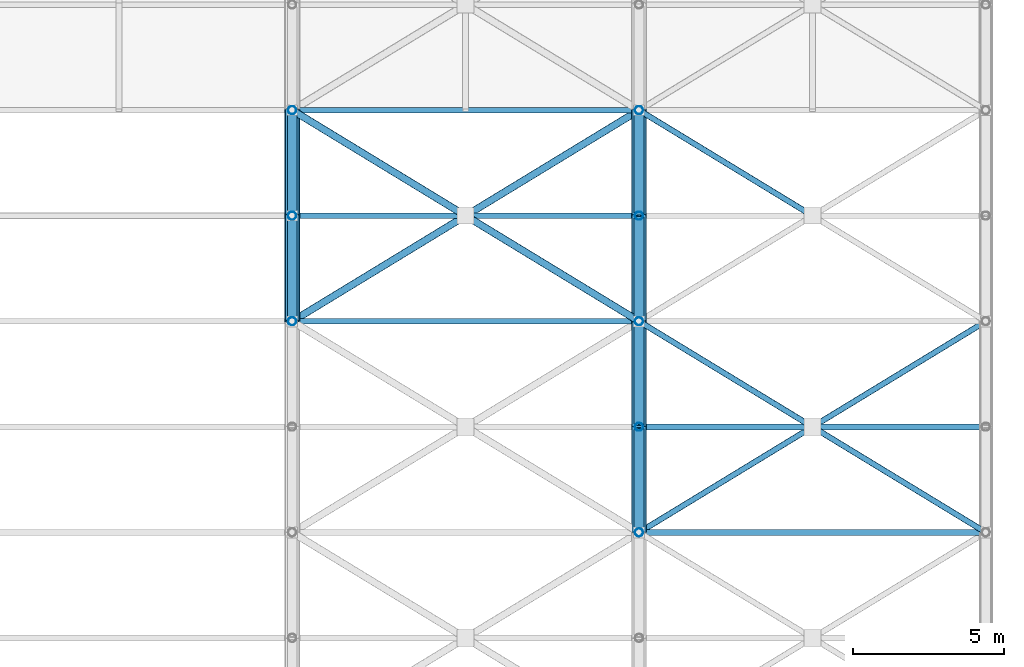
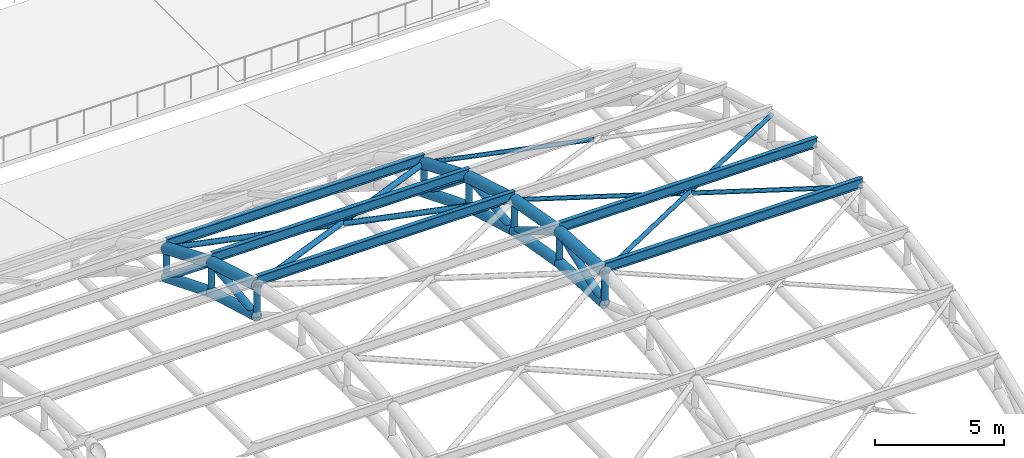
# One storey, part 108 of 154: 38 members.
"""IFC4 building model written with IfcOpenShell, lengths in metres."""

from ifc_helpers import new_model, si_unit, direction, frame, origin, origin_2d, place, context, subcontext, project, spatial, hollow_circle, i_section, extrude, material, material_profile, profile_set, type_object, element, save


model = new_model("IFC4")

# Units and contexts
model_context = context("Model", 3, precision=1e-05, world=origin(), true_north=direction((0.0, 1.0)))
body_context = subcontext(model_context, "Body", "Model", "MODEL_VIEW")
ifc_project = project(units=[si_unit("LENGTHUNIT", "METRE"), si_unit("AREAUNIT", "SQUARE_METRE"), si_unit("VOLUMEUNIT", "CUBIC_METRE"), si_unit("PLANEANGLEUNIT", "RADIAN"), si_unit("MASSUNIT", "GRAM", prefix="KILO")], contexts=[model_context])

# Site, building, storey
site_placement = place(None, origin())
site = spatial("IfcSite", under=ifc_project, at=site_placement, CompositionType="ELEMENT")
building_placement = place(site_placement, origin())
building = spatial("IfcBuilding", under=site, at=building_placement, Name="Ologun Quay Terminus", CompositionType="ELEMENT")
storey_placement = place(building_placement, frame((0.0, 0.0, 13.800048828125)))
storey = spatial("IfcBuildingStorey", under=building, at=storey_placement, Name="L03", CompositionType="ELEMENT", Elevation=13.800048828125)

# Members
ifc_material_1 = material(Name="Steel S355", Category="steel")
ifc_material_profile_1 = material_profile(ifc_material_1, hollow_circle(Radius=0.136474609375, WallThickness=0.010009765625, at=origin_2d()), Name="CHS 273x10")
ifc_profile_set_1 = profile_set([ifc_material_profile_1], Name="Steel S355")
member_type_1 = type_object("IfcMemberType", Name="Arch Truss Vertical Post CHS273", PredefinedType="STRUT", material=ifc_profile_set_1)
member_1_placement = place(storey_placement, frame((161.0, 64.0, 6.435546875), z_axis=(0.0, 0.0, 1.0), x_axis=(1.0, 0.0, 0.0)))
element("IfcMember", 1, at=member_1_placement, inside=storey, type_object=member_type_1, Name="AW2 Arch Web Post 15-N8", PredefinedType="STRUT", context=body_context, shape_type="SweptSolid", body=[
    extrude(hollow_circle(Radius=0.136474609375, WallThickness=0.010009765625, at=origin_2d()), origin(), (0.0, 0.0, 1.0), 1.44873046875),
])
member_2_placement = place(storey_placement, frame((161.0, 67.5, 5.429931640625), z_axis=(0.0, 0.0, 1.0), x_axis=(1.0, 0.0, 0.0)))
element("IfcMember", 2, at=member_2_placement, inside=storey, type_object=member_type_1, Name="AW2 Arch Web Post 15-N9", PredefinedType="STRUT", context=body_context, shape_type="SweptSolid", body=[
    extrude(hollow_circle(Radius=0.136474609375, WallThickness=0.010009765625, at=origin_2d()), origin(), (0.0, 0.0, 1.0), 1.409912109375),
])
member_3_placement = place(storey_placement, frame((161.0, 71.0, 4.022216796875), z_axis=(0.0, 0.0, 1.0), x_axis=(1.0, 0.0, 0.0)))
element("IfcMember", 3, at=member_3_placement, inside=storey, type_object=member_type_1, Name="AW2 Arch Web Post 15-N10", PredefinedType="STRUT", context=body_context, shape_type="SweptSolid", body=[
    extrude(hollow_circle(Radius=0.136474609375, WallThickness=0.010009765625, at=origin_2d()), origin(), (0.0, 0.0, 1.0), 1.35546875),
])
member_4_placement = place(storey_placement, frame((172.5, 57.0, 7.239990234375), z_axis=(0.0, 0.0, 1.0), x_axis=(1.0, 0.0, 0.0)))
element("IfcMember", 4, at=member_4_placement, inside=storey, type_object=member_type_1, Name="AW2 Arch Web Post 16-N6", PredefinedType="STRUT", context=body_context, shape_type="SweptSolid", body=[
    extrude(hollow_circle(Radius=0.136474609375, WallThickness=0.010009765625, at=origin_2d()), origin(), (0.0, 0.0, 1.0), 1.47998046875),
])
member_5_placement = place(storey_placement, frame((172.5, 60.5, 7.038818359375), z_axis=(0.0, 0.0, 1.0), x_axis=(1.0, 0.0, 0.0)))
element("IfcMember", 5, at=member_5_placement, inside=storey, type_object=member_type_1, Name="AW2 Arch Web Post 16-N7", PredefinedType="STRUT", context=body_context, shape_type="SweptSolid", body=[
    extrude(hollow_circle(Radius=0.136474609375, WallThickness=0.010009765625, at=origin_2d()), origin(), (0.0, 0.0, 1.0), 1.47216796875),
])
member_6_placement = place(storey_placement, frame((172.5, 64.0, 6.435546875), z_axis=(0.0, 0.0, 1.0), x_axis=(1.0, 0.0, 0.0)))
element("IfcMember", 6, at=member_6_placement, inside=storey, type_object=member_type_1, Name="AW2 Arch Web Post 16-N8", PredefinedType="STRUT", context=body_context, shape_type="SweptSolid", body=[
    extrude(hollow_circle(Radius=0.136474609375, WallThickness=0.010009765625, at=origin_2d()), origin(), (0.0, 0.0, 1.0), 1.44873046875),
])
member_7_placement = place(storey_placement, frame((172.5, 67.5, 5.429931640625), z_axis=(0.0, 0.0, 1.0), x_axis=(1.0, 0.0, 0.0)))
element("IfcMember", 7, at=member_7_placement, inside=storey, type_object=member_type_1, Name="AW2 Arch Web Post 16-N9", PredefinedType="STRUT", context=body_context, shape_type="SweptSolid", body=[
    extrude(hollow_circle(Radius=0.136474609375, WallThickness=0.010009765625, at=origin_2d()), origin(), (0.0, 0.0, 1.0), 1.409912109375),
])
member_8_placement = place(storey_placement, frame((172.5, 71.0, 4.022216796875), z_axis=(0.0, 0.0, 1.0), x_axis=(1.0, 0.0, 0.0)))
element("IfcMember", 8, at=member_8_placement, inside=storey, type_object=member_type_1, Name="AW2 Arch Web Post 16-N10", PredefinedType="STRUT", context=body_context, shape_type="SweptSolid", body=[
    extrude(hollow_circle(Radius=0.136474609375, WallThickness=0.010009765625, at=origin_2d()), origin(), (0.0, 0.0, 1.0), 1.35546875),
])
ifc_material_2 = material(Name="Steel S355", Category="steel")
ifc_material_profile_2 = material_profile(ifc_material_2, hollow_circle(Radius=0.161865234375, WallThickness=0.010009765625, at=origin_2d()), Name="CHS 323.9x10")
ifc_profile_set_2 = profile_set([ifc_material_profile_2], Name="Steel S355")
member_type_2 = type_object("IfcMemberType", Name="Arch Truss Web Diagonal CHS323", PredefinedType="BRACE", material=ifc_profile_set_2)
member_9_placement = place(storey_placement, frame((161.0, 64.0, 6.435546875), z_axis=(0.0, 0.993394361, 0.114750353084), x_axis=(-1.0, 0.0, 0.0)))
element("IfcMember", 9, at=member_9_placement, inside=storey, type_object=member_type_2, Name="AW1 Arch Web Diagonal 15-P9", PredefinedType="BRACE", context=body_context, shape_type="SweptSolid", body=[
    extrude(hollow_circle(Radius=0.161865234375, WallThickness=0.010009765625, at=origin_2d()), origin(), (0.0, 0.0, 1.0), 3.523193359375),
])
member_10_placement = place(storey_placement, frame((161.0, 67.5, 6.83984375), z_axis=(0.0, 0.77895148125, -0.627084196785), x_axis=(-1.0, 0.0, 0.0)))
element("IfcMember", 10, at=member_10_placement, inside=storey, type_object=member_type_2, Name="AW1 Arch Web Diagonal 15-P10", PredefinedType="BRACE", context=body_context, shape_type="SweptSolid", body=[
    extrude(hollow_circle(Radius=0.161865234375, WallThickness=0.010009765625, at=origin_2d()), origin(), (0.0, 0.0, 1.0), 4.4931640625),
])
member_11_placement = place(storey_placement, frame((172.5, 57.0, 7.239990234375), z_axis=(0.0, 0.939942650142, 0.34133241048), x_axis=(-1.0, 0.0, 0.0)))
element("IfcMember", 11, at=member_11_placement, inside=storey, type_object=member_type_2, Name="AW1 Arch Web Diagonal 16-P7", PredefinedType="BRACE", context=body_context, shape_type="SweptSolid", body=[
    extrude(hollow_circle(Radius=0.161865234375, WallThickness=0.010009765625, at=origin_2d()), origin(), (0.0, 0.0, 1.0), 3.7236328125),
])
member_12_placement = place(storey_placement, frame((172.5, 60.5, 8.510986328125), z_axis=(0.0, 0.860144332958, -0.510050709715), x_axis=(-1.0, 0.0, 0.0)))
element("IfcMember", 12, at=member_12_placement, inside=storey, type_object=member_type_2, Name="AW1 Arch Web Diagonal 16-P8", PredefinedType="BRACE", context=body_context, shape_type="SweptSolid", body=[
    extrude(hollow_circle(Radius=0.161865234375, WallThickness=0.010009765625, at=origin_2d()), origin(), (0.0, 0.0, 1.0), 4.069091796875),
])
member_13_placement = place(storey_placement, frame((172.5, 64.0, 6.435546875), z_axis=(0.0, 0.993394361, 0.114750353084), x_axis=(-1.0, 0.0, 0.0)))
element("IfcMember", 13, at=member_13_placement, inside=storey, type_object=member_type_2, Name="AW1 Arch Web Diagonal 16-P9", PredefinedType="BRACE", context=body_context, shape_type="SweptSolid", body=[
    extrude(hollow_circle(Radius=0.161865234375, WallThickness=0.010009765625, at=origin_2d()), origin(), (0.0, 0.0, 1.0), 3.523193359375),
])
member_14_placement = place(storey_placement, frame((172.5, 67.5, 6.83984375), z_axis=(0.0, 0.77895148125, -0.627084196785), x_axis=(-1.0, 0.0, 0.0)))
element("IfcMember", 14, at=member_14_placement, inside=storey, type_object=member_type_2, Name="AW1 Arch Web Diagonal 16-P10", PredefinedType="BRACE", context=body_context, shape_type="SweptSolid", body=[
    extrude(hollow_circle(Radius=0.161865234375, WallThickness=0.010009765625, at=origin_2d()), origin(), (0.0, 0.0, 1.0), 4.4931640625),
])
ifc_material_3 = material(Name="Steel S355", Category="steel")
ifc_material_profile_3 = material_profile(ifc_material_3, hollow_circle(Radius=0.096923828125, WallThickness=0.00634765625, at=origin_2d()), Name="CHS 193.7x6.3")
ifc_profile_set_3 = profile_set([ifc_material_profile_3], Name="Steel S355")
member_type_3 = type_object("IfcMemberType", Name="Gable Portal Wind Brace CHS193", PredefinedType="BRACE", material=ifc_profile_set_3)
member_15_placement = place(storey_placement, frame((172.5, 57.0, 8.719970703125), z_axis=(0.852557618704, 0.518948115733, -0.061954499168), x_axis=(-0.519946946896, 0.854198555614, 0.0)))
element("IfcMember", 15, at=member_15_placement, inside=storey, type_object=member_type_3, Name="Roof Wind Brace A B16-K6", PredefinedType="BRACE", context=body_context, shape_type="SweptSolid", body=[
    extrude(hollow_circle(Radius=0.096923828125, WallThickness=0.00634765625, at=origin_2d()), origin(), (0.0, 0.0, 1.0), 13.48876953125),
])
for number, where, z_axis, x_axis, name in (
    (16, (172.5, 64.0, 7.88427734375), (0.852563238847, -0.518938678703, 0.061956206405), (0.51993754691, 0.854204277274, 0.0), "Roof Wind Brace B1 B16-K6"),
    (17, (178.369384765625, 60.42724609375, 8.310791015625), (0.852563238847, -0.518938678703, 0.061956206405), (0.51993754691, 0.854204277274, 0.0), "Roof Wind Brace B2 B16-K6"),
):
    element("IfcMember", number, at=place(storey_placement, frame(where, z_axis=z_axis, x_axis=x_axis)), inside=storey, type_object=member_type_3, Name=name, PredefinedType="BRACE", context=body_context, shape_type="SweptSolid", body=[
        extrude(hollow_circle(Radius=0.096923828125, WallThickness=0.00634765625, at=origin_2d()), origin(), (0.0, 0.0, 1.0), 6.604248046875),
    ])
member_16_placement = place(storey_placement, frame((172.5, 71.0, 5.377685546875), z_axis=(0.839758111636, -0.51117135508, 0.183057804223), x_axis=(0.519957518446, 0.854192120668, 0.0)))
element("IfcMember", 18, at=member_16_placement, inside=storey, type_object=member_type_3, Name="Roof Wind Brace B1 B16-K8", PredefinedType="BRACE", context=body_context, shape_type="SweptSolid", body=[
    extrude(hollow_circle(Radius=0.096923828125, WallThickness=0.00634765625, at=origin_2d()), origin(), (0.0, 0.0, 1.0), 6.70703125),
])
ifc_material_4 = material(Name="Steel S355", Category="steel")
ifc_material_profile_4 = material_profile(ifc_material_4, hollow_circle(Radius=0.228515625, WallThickness=0.01611328125, at=origin_2d()), Name="CHS 457x16")
ifc_profile_set_4 = profile_set([ifc_material_profile_4], Name="Steel S355")
member_type_4 = type_object("IfcMemberType", Name="Parabolic Arch Bottom Chord CHS457", PredefinedType="CHORD", material=ifc_profile_set_4)
member_17_placement = place(storey_placement, frame((161.0, 64.0, 6.435546875), z_axis=(0.0, 0.961115578425, -0.276146419331), x_axis=(-1.0, 0.0, 0.0)))
element("IfcMember", 19, at=member_17_placement, inside=storey, type_object=member_type_4, Name="AC2 Arch Bottom Chord 15-P9", PredefinedType="CHORD", context=body_context, shape_type="SweptSolid", body=[
    extrude(hollow_circle(Radius=0.228515625, WallThickness=0.01611328125, at=origin_2d()), origin(), (0.0, 0.0, 1.0), 3.6416015625),
])
member_18_placement = place(storey_placement, frame((161.0, 67.5, 5.429931640625), z_axis=(0.0, 0.92776983497, -0.373152962363), x_axis=(-1.0, 0.0, 0.0)))
element("IfcMember", 20, at=member_18_placement, inside=storey, type_object=member_type_4, Name="AC2 Arch Bottom Chord 15-P10", PredefinedType="CHORD", context=body_context, shape_type="SweptSolid", body=[
    extrude(hollow_circle(Radius=0.228515625, WallThickness=0.01611328125, at=origin_2d()), origin(), (0.0, 0.0, 1.0), 3.7724609375),
])
member_19_placement = place(storey_placement, frame((172.5, 57.0, 7.239990234375), z_axis=(0.0, 0.998352239869, -0.057382969144), x_axis=(-1.0, 0.0, 0.0)))
element("IfcMember", 21, at=member_19_placement, inside=storey, type_object=member_type_4, Name="AC2 Arch Bottom Chord 16-P7", PredefinedType="CHORD", context=body_context, shape_type="SweptSolid", body=[
    extrude(hollow_circle(Radius=0.228515625, WallThickness=0.01611328125, at=origin_2d()), origin(), (0.0, 0.0, 1.0), 3.505859375),
])
member_20_placement = place(storey_placement, frame((172.5, 60.5, 7.038818359375), z_axis=(0.0, 0.985468449185, -0.16985857547), x_axis=(-1.0, 0.0, 0.0)))
element("IfcMember", 22, at=member_20_placement, inside=storey, type_object=member_type_4, Name="AC2 Arch Bottom Chord 16-P8", PredefinedType="CHORD", context=body_context, shape_type="SweptSolid", body=[
    extrude(hollow_circle(Radius=0.228515625, WallThickness=0.01611328125, at=origin_2d()), origin(), (0.0, 0.0, 1.0), 3.551513671875),
])
member_21_placement = place(storey_placement, frame((172.5, 64.0, 6.435546875), z_axis=(0.0, 0.961115578425, -0.276146419331), x_axis=(-1.0, 0.0, 0.0)))
element("IfcMember", 23, at=member_21_placement, inside=storey, type_object=member_type_4, Name="AC2 Arch Bottom Chord 16-P9", PredefinedType="CHORD", context=body_context, shape_type="SweptSolid", body=[
    extrude(hollow_circle(Radius=0.228515625, WallThickness=0.01611328125, at=origin_2d()), origin(), (0.0, 0.0, 1.0), 3.6416015625),
])
member_22_placement = place(storey_placement, frame((172.5, 67.5, 5.429931640625), z_axis=(0.0, 0.92776983497, -0.373152962363), x_axis=(-1.0, 0.0, 0.0)))
element("IfcMember", 24, at=member_22_placement, inside=storey, type_object=member_type_4, Name="AC2 Arch Bottom Chord 16-P10", PredefinedType="CHORD", context=body_context, shape_type="SweptSolid", body=[
    extrude(hollow_circle(Radius=0.228515625, WallThickness=0.01611328125, at=origin_2d()), origin(), (0.0, 0.0, 1.0), 3.7724609375),
])
ifc_material_5 = material(Name="Steel S355", Category="steel")
ifc_material_profile_5 = material_profile(ifc_material_5, hollow_circle(Radius=0.25390625, WallThickness=0.01611328125, at=origin_2d()), Name="CHS 508x16")
ifc_profile_set_5 = profile_set([ifc_material_profile_5], Name="Steel S355")
member_type_5 = type_object("IfcMemberType", Name="Parabolic Arch Top Chord CHS508", PredefinedType="CHORD", material=ifc_profile_set_5)
member_23_placement = place(storey_placement, frame((161.0, 64.0, 7.88427734375), z_axis=(0.0, 0.958244712677, -0.285949419701), x_axis=(-1.0, 0.0, 0.0)))
element("IfcMember", 25, at=member_23_placement, inside=storey, type_object=member_type_5, Name="Arch Top Chord 15-P9", PredefinedType="CHORD", context=body_context, shape_type="SweptSolid", body=[
    extrude(hollow_circle(Radius=0.25390625, WallThickness=0.01611328125, at=origin_2d()), origin(), (0.0, 0.0, 1.0), 3.652587890625),
])
member_24_placement = place(storey_placement, frame((161.0, 67.5, 6.83984375), z_axis=(0.0, 0.922718523726, -0.385474416755), x_axis=(-1.0, 0.0, 0.0)))
element("IfcMember", 26, at=member_24_placement, inside=storey, type_object=member_type_5, Name="Arch Top Chord 15-P10", PredefinedType="CHORD", context=body_context, shape_type="SweptSolid", body=[
    extrude(hollow_circle(Radius=0.25390625, WallThickness=0.01611328125, at=origin_2d()), origin(), (0.0, 0.0, 1.0), 3.793212890625),
])
member_25_placement = place(storey_placement, frame((172.5, 57.0, 8.719970703125), z_axis=(0.0, 0.998222121157, -0.0596036646), x_axis=(-1.0, 0.0, 0.0)))
element("IfcMember", 27, at=member_25_placement, inside=storey, type_object=member_type_5, Name="Arch Top Chord 16-P7", PredefinedType="CHORD", context=body_context, shape_type="SweptSolid", body=[
    extrude(hollow_circle(Radius=0.25390625, WallThickness=0.01611328125, at=origin_2d()), origin(), (0.0, 0.0, 1.0), 3.50634765625),
])
member_26_placement = place(storey_placement, frame((172.5, 60.5, 8.510986328125), z_axis=(0.0, 0.984344289591, -0.176256402859), x_axis=(-1.0, 0.0, 0.0)))
element("IfcMember", 28, at=member_26_placement, inside=storey, type_object=member_type_5, Name="Arch Top Chord 16-P8", PredefinedType="CHORD", context=body_context, shape_type="SweptSolid", body=[
    extrude(hollow_circle(Radius=0.25390625, WallThickness=0.01611328125, at=origin_2d()), origin(), (0.0, 0.0, 1.0), 3.5556640625),
])
member_27_placement = place(storey_placement, frame((172.5, 64.0, 7.88427734375), z_axis=(0.0, 0.958244712677, -0.285949419701), x_axis=(-1.0, 0.0, 0.0)))
element("IfcMember", 29, at=member_27_placement, inside=storey, type_object=member_type_5, Name="Arch Top Chord 16-P9", PredefinedType="CHORD", context=body_context, shape_type="SweptSolid", body=[
    extrude(hollow_circle(Radius=0.25390625, WallThickness=0.01611328125, at=origin_2d()), origin(), (0.0, 0.0, 1.0), 3.652587890625),
])
member_28_placement = place(storey_placement, frame((172.5, 67.5, 6.83984375), z_axis=(0.0, 0.922718523726, -0.385474416755), x_axis=(-1.0, 0.0, 0.0)))
element("IfcMember", 30, at=member_28_placement, inside=storey, type_object=member_type_5, Name="Arch Top Chord 16-P10", PredefinedType="CHORD", context=body_context, shape_type="SweptSolid", body=[
    extrude(hollow_circle(Radius=0.25390625, WallThickness=0.01611328125, at=origin_2d()), origin(), (0.0, 0.0, 1.0), 3.793212890625),
])
ifc_material_6 = material(Name="Steel S355", Category="steel")
ifc_material_profile_6 = material_profile(ifc_material_6, hollow_circle(Radius=0.122314453125, WallThickness=0.008056640625, at=origin_2d()), Name="CHS 244.5x8")
ifc_profile_set_6 = profile_set([ifc_material_profile_6], Name="Steel S355")
member_type_6 = type_object("IfcMemberType", Name="Roof Plan Wind Brace Primary CHS244", PredefinedType="BRACE", material=ifc_profile_set_6)
member_29_placement = place(storey_placement, frame((161.0, 64.0, 7.88427734375), z_axis=(0.83976735311, 0.511162736676, -0.18303947466), x_axis=(-0.519946946896, 0.854198555614, 0.0)))
element("IfcMember", 31, at=member_29_placement, inside=storey, type_object=member_type_6, Name="Roof Wind Brace A B15-K8", PredefinedType="BRACE", context=body_context, shape_type="SweptSolid", body=[
    extrude(hollow_circle(Radius=0.122314453125, WallThickness=0.008056640625, at=origin_2d()), origin(), (0.0, 0.0, 1.0), 13.6943359375),
])
for number, where, z_axis, x_axis, name in (
    (32, (161.0, 71.0, 5.377685546875), (0.839758111636, -0.51117135508, 0.183057804223), (0.519957518446, 0.854192120668, 0.0), "Roof Wind Brace B1 B15-K8"),
    (33, (166.86767578125, 67.428466796875, 6.65673828125), (0.839763706767, -0.511174760907, 0.183022623217), (0.519957518446, 0.854192120668, 0.0), "Roof Wind Brace B2 B15-K8"),
):
    element("IfcMember", number, at=place(storey_placement, frame(where, z_axis=z_axis, x_axis=x_axis)), inside=storey, type_object=member_type_6, Name=name, PredefinedType="BRACE", context=body_context, shape_type="SweptSolid", body=[
        extrude(hollow_circle(Radius=0.122314453125, WallThickness=0.008056640625, at=origin_2d()), origin(), (0.0, 0.0, 1.0), 6.70703125),
    ])
ifc_material_7 = material(Name="Steel S355", Category="steel")
ifc_material_profile_7 = material_profile(ifc_material_7, i_section(OverallWidth=0.1904296875, OverallDepth=0.45703125, WebThickness=0.009033203125, FlangeThickness=0.014404296875, at=origin_2d()), Name="UKB 457x191x74")
ifc_profile_set_7 = profile_set([ifc_material_profile_7], Name="Steel S355")
member_type_7 = type_object("IfcMemberType", Name="Train Shed Primary Roof Purlin UKB457", PredefinedType="PURLIN", material=ifc_profile_set_7)
for number, where, z_axis, x_axis, name in (
    (34, (161.0, 64.0, 8.11279296875), (1.0, 0.0, 0.0), (0.0, 1.0, 0.0), "PR1 Roof Purlin B15-N8"),
    (35, (161.0, 67.5, 7.068359375), (1.0, 0.0, 0.0), (0.0, 1.0, 0.0), "PR1 Roof Purlin B15-N9"),
    (36, (161.0, 71.0, 5.606201171875), (1.0, 0.0, 0.0), (0.0, 1.0, 0.0), "PR1 Roof Purlin B15-N10"),
    (37, (172.5, 57.0, 8.948486328125), (1.0, 0.0, 0.0), (0.0, 1.0, 0.0), "PR1 Roof Purlin B16-N6"),
    (38, (172.5, 60.5, 8.739501953125), (1.0, 0.0, 0.0), (0.0, 1.0, 0.0), "PR1 Roof Purlin B16-N7"),
):
    element("IfcMember", number, at=place(storey_placement, frame(where, z_axis=z_axis, x_axis=x_axis)), inside=storey, type_object=member_type_7, Name=name, PredefinedType="PURLIN", context=body_context, shape_type="SweptSolid", body=[
        extrude(i_section(OverallWidth=0.1904296875, OverallDepth=0.45703125, WebThickness=0.009033203125, FlangeThickness=0.014404296875, at=origin_2d()), origin(), (0.0, 0.0, 1.0), 11.5),
    ])

save(model, "model.ifc")
